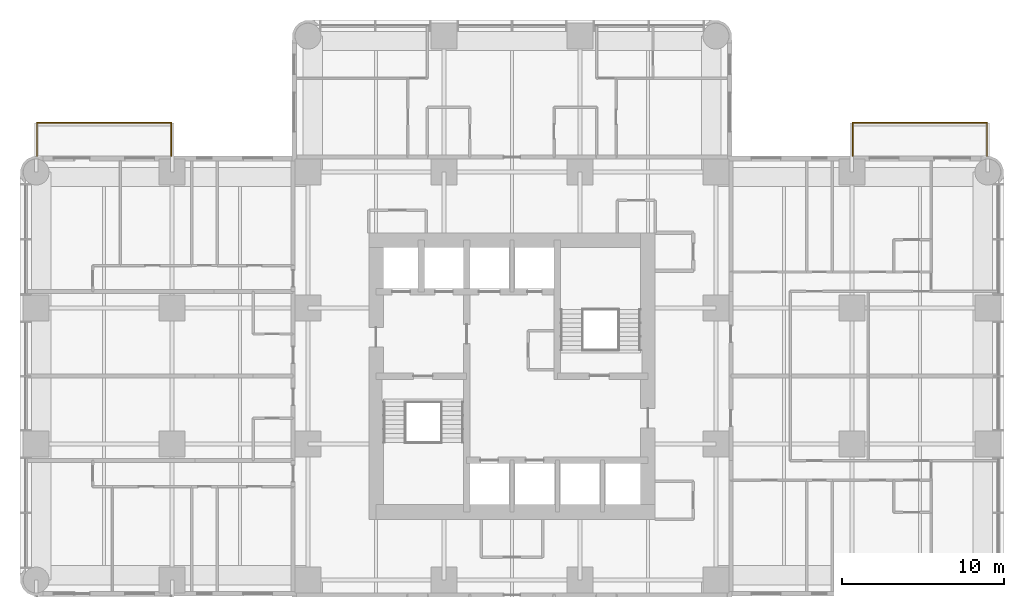
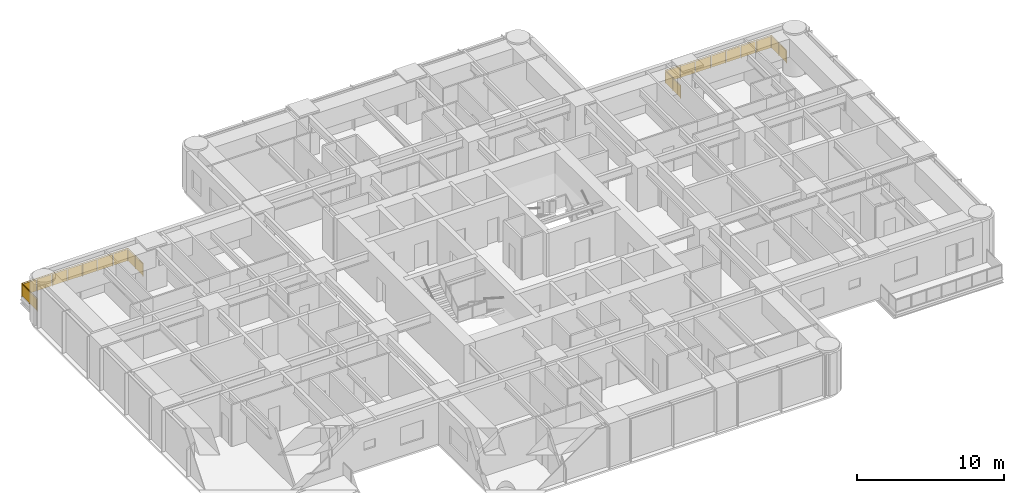
# One storey, part 14 of 14: 2 railings.
"""IFC4 building model written with IfcOpenShell, lengths in metres."""

from ifc_helpers import new_model, si_unit, direction, frame, origin, origin_2d, place, context, subcontext, project, spatial, polyline, circle, outline, extrude, material, constituent, constituent_set, type_object, element, save


model = new_model("IFC4")

# Units and contexts
model_context = context("Model", 3, precision=1e-05, world=origin(), true_north=direction((0.0, 1.0)))
body_context = subcontext(model_context, "Body", "Model", "MODEL_VIEW")
ifc_project = project(units=[si_unit("LENGTHUNIT", "METRE"), si_unit("AREAUNIT", "SQUARE_METRE"), si_unit("VOLUMEUNIT", "CUBIC_METRE"), si_unit("PLANEANGLEUNIT", "RADIAN"), si_unit("MASSUNIT", "GRAM", prefix="KILO")], contexts=[model_context])

# Site, building, storey
site_placement = place(None, origin())
site = spatial("IfcSite", under=ifc_project, at=site_placement, CompositionType="ELEMENT")
building_placement = place(site_placement, origin())
building = spatial("IfcBuilding", under=site, at=building_placement, Name="Torre Alcanfor", CompositionType="ELEMENT")
storey_placement = place(building_placement, frame((0.0, 0.0, 141.300048828125)))
storey = spatial("IfcBuildingStorey", under=building, at=storey_placement, Name="L36", CompositionType="ELEMENT", Elevation=141.300048828125)

# Railings
ifc_material_1 = material(Name="Laminated safety glass", Category="glass")
ifc_constituent_1 = constituent(ifc_material_1, Name="Infill")
ifc_material_2 = material(Name="Stainless steel ASTM A554 Grade MT 316L tube", Category="steel")
ifc_constituent_2 = constituent(ifc_material_2, Name="Posts and rail")
ifc_constituent_set = constituent_set(constituents=[ifc_constituent_1, ifc_constituent_2], Name="Balcony guard glass 1100")
railing_type = type_object("IfcRailingType", Name="Balcony guard glass 1100", PredefinedType="BALUSTRADE", material=ifc_constituent_set)
railing_1_placement = place(storey_placement, frame((50.449951171875, 43.0, 0.0)))
element("IfcRailing", 1, at=railing_1_placement, inside=storey, type_object=railing_type, Name="Balcony guard L36-E1", PredefinedType="BALUSTRADE", context=body_context, shape_type="SweptSolid", body=[
    extrude(circle(Radius=0.02392578125, at=origin_2d()), frame((0.0, 0.0, 1.076171875), z_axis=(0.0, 1.0, 0.0), x_axis=(-1.0, 0.0, 0.0)), (0.0, 0.0, 1.0), 2.050048828125),
    extrude(circle(Radius=0.02392578125, at=origin_2d()), frame((0.0, 2.050048828125, 1.076171875), z_axis=(1.0, 0.0, 0.0), x_axis=(0.0, 1.0, 0.0)), (0.0, 0.0, 1.0), 8.300048828125),
    extrude(circle(Radius=0.02392578125, at=origin_2d()), frame((8.300048828125, 2.050048828125, 1.076171875), z_axis=(0.0, -1.0, 0.0), x_axis=(1.0, 0.0, 0.0)), (0.0, 0.0, 1.0), 2.050048828125),
    extrude(circle(Radius=0.02099609375, at=origin_2d()), origin(), (0.0, 0.0, 1.0), 1.052001953125),
    extrude(circle(Radius=0.02099609375, at=origin_2d()), frame((0.0, 1.02490234375, 0.0)), (0.0, 0.0, 1.0), 1.052001953125),
    extrude(circle(Radius=0.02099609375, at=origin_2d()), frame((0.0, 2.050048828125, 0.0)), (0.0, 0.0, 1.0), 1.052001953125),
    extrude(circle(Radius=0.02099609375, at=origin_2d()), frame((1.185791015625, 2.050048828125, 0.0)), (0.0, 0.0, 1.0), 1.052001953125),
    extrude(circle(Radius=0.02099609375, at=origin_2d()), frame((2.371337890625, 2.050048828125, 0.0)), (0.0, 0.0, 1.0), 1.052001953125),
    extrude(circle(Radius=0.02099609375, at=origin_2d()), frame((3.55712890625, 2.050048828125, 0.0)), (0.0, 0.0, 1.0), 1.052001953125),
    extrude(circle(Radius=0.02099609375, at=origin_2d()), frame((4.742919921875, 2.050048828125, 0.0)), (0.0, 0.0, 1.0), 1.052001953125),
    extrude(circle(Radius=0.02099609375, at=origin_2d()), frame((5.9287109375, 2.050048828125, 0.0)), (0.0, 0.0, 1.0), 1.052001953125),
    extrude(circle(Radius=0.02099609375, at=origin_2d()), frame((7.1142578125, 2.050048828125, 0.0)), (0.0, 0.0, 1.0), 1.052001953125),
    extrude(circle(Radius=0.02099609375, at=origin_2d()), frame((8.300048828125, 2.050048828125, 0.0)), (0.0, 0.0, 1.0), 1.052001953125),
    extrude(circle(Radius=0.02099609375, at=origin_2d()), frame((8.300048828125, 1.02490234375, 0.0)), (0.0, 0.0, 1.0), 1.052001953125),
    extrude(circle(Radius=0.02099609375, at=origin_2d()), frame((8.300048828125, 0.0, 0.0)), (0.0, 0.0, 1.0), 1.052001953125),
    extrude(outline(polyline([(0.041015625, 0.050048828125), (0.984130859375, 0.050048828125), (0.984130859375, 1.001953125), (0.041015625, 1.001953125), (0.041015625, 0.050048828125)])), frame((-0.005859375, 0.0, 0.0), z_axis=(1.0, 0.0, 0.0), x_axis=(0.0, 1.0, 0.0)), (0.0, 0.0, 1.0), 0.011962890625),
    extrude(outline(polyline([(1.06591796875, 0.050048828125), (2.009033203125, 0.050048828125), (2.009033203125, 1.001953125), (1.06591796875, 1.001953125), (1.06591796875, 0.050048828125)])), frame((-0.005859375, 0.0, 0.0), z_axis=(1.0, 0.0, 0.0), x_axis=(0.0, 1.0, 0.0)), (0.0, 0.0, 1.0), 0.011962890625),
    extrude(outline(polyline([(0.041015625, 0.050048828125), (1.144775390625, 0.050048828125), (1.144775390625, 1.001953125), (0.041015625, 1.001953125), (0.041015625, 0.050048828125)])), frame((0.0, 2.05615234375, 0.0), z_axis=(0.0, -1.0, 0.0), x_axis=(1.0, 0.0, 0.0)), (0.0, 0.0, 1.0), 0.011962890625),
    extrude(outline(polyline([(1.226806640625, 0.050048828125), (2.330322265625, 0.050048828125), (2.330322265625, 1.001953125), (1.226806640625, 1.001953125), (1.226806640625, 0.050048828125)])), frame((0.0, 2.05615234375, 0.0), z_axis=(0.0, -1.0, 0.0), x_axis=(1.0, 0.0, 0.0)), (0.0, 0.0, 1.0), 0.011962890625),
    extrude(outline(polyline([(2.412353515625, 0.050048828125), (3.51611328125, 0.050048828125), (3.51611328125, 1.001953125), (2.412353515625, 1.001953125), (2.412353515625, 0.050048828125)])), frame((0.0, 2.05615234375, 0.0), z_axis=(0.0, -1.0, 0.0), x_axis=(1.0, 0.0, 0.0)), (0.0, 0.0, 1.0), 0.011962890625),
    extrude(outline(polyline([(3.59814453125, 0.050048828125), (4.701904296875, 0.050048828125), (4.701904296875, 1.001953125), (3.59814453125, 1.001953125), (3.59814453125, 0.050048828125)])), frame((0.0, 2.05615234375, 0.0), z_axis=(0.0, -1.0, 0.0), x_axis=(1.0, 0.0, 0.0)), (0.0, 0.0, 1.0), 0.011962890625),
    extrude(outline(polyline([(4.783935546875, 0.050048828125), (5.8876953125, 0.050048828125), (5.8876953125, 1.001953125), (4.783935546875, 1.001953125), (4.783935546875, 0.050048828125)])), frame((0.0, 2.05615234375, 0.0), z_axis=(0.0, -1.0, 0.0), x_axis=(1.0, 0.0, 0.0)), (0.0, 0.0, 1.0), 0.011962890625),
    extrude(outline(polyline([(5.9697265625, 0.050048828125), (7.0732421875, 0.050048828125), (7.0732421875, 1.001953125), (5.9697265625, 1.001953125), (5.9697265625, 0.050048828125)])), frame((0.0, 2.05615234375, 0.0), z_axis=(0.0, -1.0, 0.0), x_axis=(1.0, 0.0, 0.0)), (0.0, 0.0, 1.0), 0.011962890625),
    extrude(outline(polyline([(7.1552734375, 0.050048828125), (8.259033203125, 0.050048828125), (8.259033203125, 1.001953125), (7.1552734375, 1.001953125), (7.1552734375, 0.050048828125)])), frame((0.0, 2.05615234375, 0.0), z_axis=(0.0, -1.0, 0.0), x_axis=(1.0, 0.0, 0.0)), (0.0, 0.0, 1.0), 0.011962890625),
    extrude(outline(polyline([(0.041015625, 0.050048828125), (0.984130859375, 0.050048828125), (0.984130859375, 1.001953125), (0.041015625, 1.001953125), (0.041015625, 0.050048828125)])), frame((8.30615234375, 2.050048828125, 0.0), z_axis=(-1.0, 0.0, 0.0), x_axis=(0.0, -1.0, 0.0)), (0.0, 0.0, 1.0), 0.011962890625),
    extrude(outline(polyline([(1.06591796875, 0.050048828125), (2.009033203125, 0.050048828125), (2.009033203125, 1.001953125), (1.06591796875, 1.001953125), (1.06591796875, 0.050048828125)])), frame((8.30615234375, 2.050048828125, 0.0), z_axis=(-1.0, 0.0, 0.0), x_axis=(0.0, -1.0, 0.0)), (0.0, 0.0, 1.0), 0.011962890625),
])
railing_2_placement = place(storey_placement, frame((8.35009765625, 43.0, 0.0)))
element("IfcRailing", 2, at=railing_2_placement, inside=storey, type_object=railing_type, Name="Balcony guard L36-W2", PredefinedType="BALUSTRADE", context=body_context, shape_type="SweptSolid", body=[
    extrude(circle(Radius=0.02392578125, at=origin_2d()), frame((0.0, 0.0, 1.076171875), z_axis=(0.0, 1.0, 0.0), x_axis=(-1.0, 0.0, 0.0)), (0.0, 0.0, 1.0), 2.050048828125),
    extrude(circle(Radius=0.02392578125, at=origin_2d()), frame((0.0, 2.050048828125, 1.076171875), z_axis=(-1.0, 0.0, 0.0), x_axis=(0.0, -1.0, 0.0)), (0.0, 0.0, 1.0), 8.300048828125),
    extrude(circle(Radius=0.02392578125, at=origin_2d()), frame((-8.300048828125, 2.050048828125, 1.076171875), z_axis=(0.0, -1.0, 0.0), x_axis=(1.0, 0.0, 0.0)), (0.0, 0.0, 1.0), 2.050048828125),
    extrude(circle(Radius=0.02099609375, at=origin_2d()), origin(), (0.0, 0.0, 1.0), 1.052001953125),
    extrude(circle(Radius=0.02099609375, at=origin_2d()), frame((0.0, 1.02490234375, 0.0)), (0.0, 0.0, 1.0), 1.052001953125),
    extrude(circle(Radius=0.02099609375, at=origin_2d()), frame((0.0, 2.050048828125, 0.0)), (0.0, 0.0, 1.0), 1.052001953125),
    extrude(circle(Radius=0.02099609375, at=origin_2d()), frame((-1.185791015625, 2.050048828125, 0.0)), (0.0, 0.0, 1.0), 1.052001953125),
    extrude(circle(Radius=0.02099609375, at=origin_2d()), frame((-2.371337890625, 2.050048828125, 0.0)), (0.0, 0.0, 1.0), 1.052001953125),
    extrude(circle(Radius=0.02099609375, at=origin_2d()), frame((-3.55712890625, 2.050048828125, 0.0)), (0.0, 0.0, 1.0), 1.052001953125),
    extrude(circle(Radius=0.02099609375, at=origin_2d()), frame((-4.742919921875, 2.050048828125, 0.0)), (0.0, 0.0, 1.0), 1.052001953125),
    extrude(circle(Radius=0.02099609375, at=origin_2d()), frame((-5.9287109375, 2.050048828125, 0.0)), (0.0, 0.0, 1.0), 1.052001953125),
    extrude(circle(Radius=0.02099609375, at=origin_2d()), frame((-7.1142578125, 2.050048828125, 0.0)), (0.0, 0.0, 1.0), 1.052001953125),
    extrude(circle(Radius=0.02099609375, at=origin_2d()), frame((-8.300048828125, 2.050048828125, 0.0)), (0.0, 0.0, 1.0), 1.052001953125),
    extrude(circle(Radius=0.02099609375, at=origin_2d()), frame((-8.300048828125, 1.02490234375, 0.0)), (0.0, 0.0, 1.0), 1.052001953125),
    extrude(circle(Radius=0.02099609375, at=origin_2d()), frame((-8.300048828125, 0.0, 0.0)), (0.0, 0.0, 1.0), 1.052001953125),
    extrude(outline(polyline([(0.041015625, 0.050048828125), (0.984130859375, 0.050048828125), (0.984130859375, 1.001953125), (0.041015625, 1.001953125), (0.041015625, 0.050048828125)])), frame((-0.005859375, 0.0, 0.0), z_axis=(1.0, 0.0, 0.0), x_axis=(0.0, 1.0, 0.0)), (0.0, 0.0, 1.0), 0.011962890625),
    extrude(outline(polyline([(1.06591796875, 0.050048828125), (2.009033203125, 0.050048828125), (2.009033203125, 1.001953125), (1.06591796875, 1.001953125), (1.06591796875, 0.050048828125)])), frame((-0.005859375, 0.0, 0.0), z_axis=(1.0, 0.0, 0.0), x_axis=(0.0, 1.0, 0.0)), (0.0, 0.0, 1.0), 0.011962890625),
    extrude(outline(polyline([(0.041015625, 0.050048828125), (1.144775390625, 0.050048828125), (1.144775390625, 1.001953125), (0.041015625, 1.001953125), (0.041015625, 0.050048828125)])), frame((0.0, 2.0439453125, 0.0), z_axis=(0.0, 1.0, 0.0), x_axis=(-1.0, 0.0, 0.0)), (0.0, 0.0, 1.0), 0.011962890625),
    extrude(outline(polyline([(1.226806640625, 0.050048828125), (2.330322265625, 0.050048828125), (2.330322265625, 1.001953125), (1.226806640625, 1.001953125), (1.226806640625, 0.050048828125)])), frame((0.0, 2.0439453125, 0.0), z_axis=(0.0, 1.0, 0.0), x_axis=(-1.0, 0.0, 0.0)), (0.0, 0.0, 1.0), 0.011962890625),
    extrude(outline(polyline([(2.412353515625, 0.050048828125), (3.51611328125, 0.050048828125), (3.51611328125, 1.001953125), (2.412353515625, 1.001953125), (2.412353515625, 0.050048828125)])), frame((0.0, 2.0439453125, 0.0), z_axis=(0.0, 1.0, 0.0), x_axis=(-1.0, 0.0, 0.0)), (0.0, 0.0, 1.0), 0.011962890625),
    extrude(outline(polyline([(3.59814453125, 0.050048828125), (4.701904296875, 0.050048828125), (4.701904296875, 1.001953125), (3.59814453125, 1.001953125), (3.59814453125, 0.050048828125)])), frame((0.0, 2.0439453125, 0.0), z_axis=(0.0, 1.0, 0.0), x_axis=(-1.0, 0.0, 0.0)), (0.0, 0.0, 1.0), 0.011962890625),
    extrude(outline(polyline([(4.783935546875, 0.050048828125), (5.8876953125, 0.050048828125), (5.8876953125, 1.001953125), (4.783935546875, 1.001953125), (4.783935546875, 0.050048828125)])), frame((0.0, 2.0439453125, 0.0), z_axis=(0.0, 1.0, 0.0), x_axis=(-1.0, 0.0, 0.0)), (0.0, 0.0, 1.0), 0.011962890625),
    extrude(outline(polyline([(5.9697265625, 0.050048828125), (7.0732421875, 0.050048828125), (7.0732421875, 1.001953125), (5.9697265625, 1.001953125), (5.9697265625, 0.050048828125)])), frame((0.0, 2.0439453125, 0.0), z_axis=(0.0, 1.0, 0.0), x_axis=(-1.0, 0.0, 0.0)), (0.0, 0.0, 1.0), 0.011962890625),
    extrude(outline(polyline([(7.1552734375, 0.050048828125), (8.259033203125, 0.050048828125), (8.259033203125, 1.001953125), (7.1552734375, 1.001953125), (7.1552734375, 0.050048828125)])), frame((0.0, 2.0439453125, 0.0), z_axis=(0.0, 1.0, 0.0), x_axis=(-1.0, 0.0, 0.0)), (0.0, 0.0, 1.0), 0.011962890625),
    extrude(outline(polyline([(0.041015625, 0.050048828125), (0.984130859375, 0.050048828125), (0.984130859375, 1.001953125), (0.041015625, 1.001953125), (0.041015625, 0.050048828125)])), frame((-8.2939453125, 2.050048828125, 0.0), z_axis=(-1.0, 0.0, 0.0), x_axis=(0.0, -1.0, 0.0)), (0.0, 0.0, 1.0), 0.011962890625),
    extrude(outline(polyline([(1.06591796875, 0.050048828125), (2.009033203125, 0.050048828125), (2.009033203125, 1.001953125), (1.06591796875, 1.001953125), (1.06591796875, 0.050048828125)])), frame((-8.2939453125, 2.050048828125, 0.0), z_axis=(-1.0, 0.0, 0.0), x_axis=(0.0, -1.0, 0.0)), (0.0, 0.0, 1.0), 0.011962890625),
])

save(model, "model.ifc")
